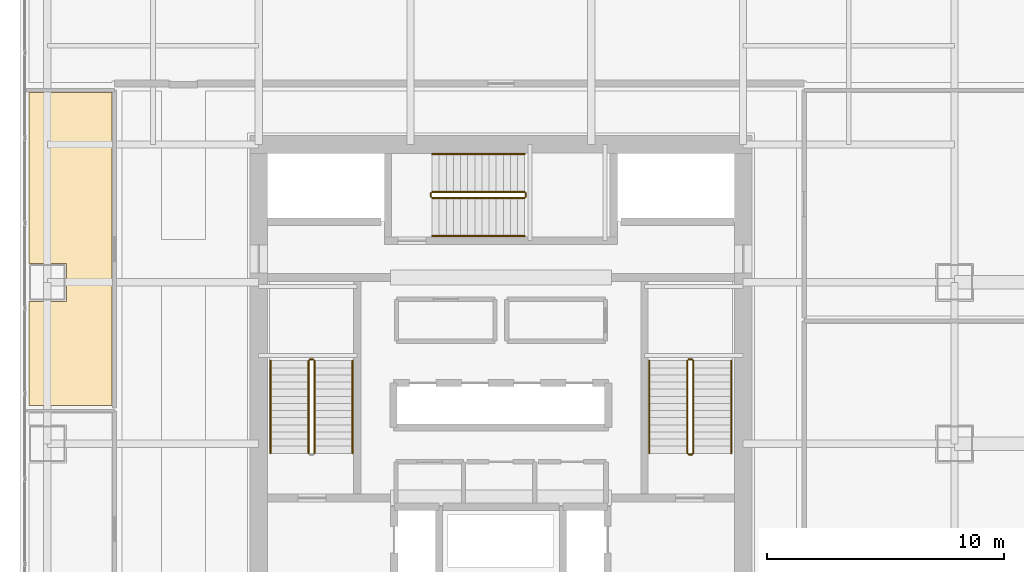
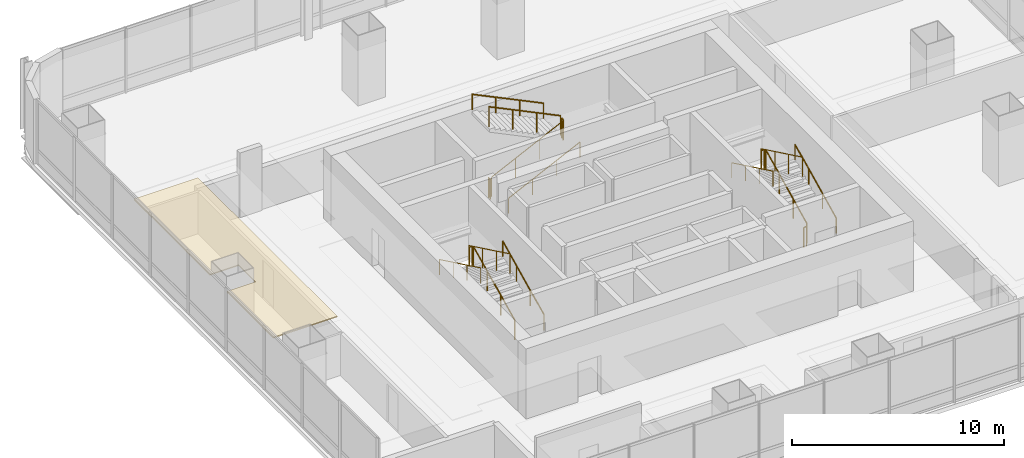
# One storey, part 32 of 33: 17 railings, 1 covering.
"""IFC4 building model written with IfcOpenShell, lengths in metres."""

from ifc_helpers import new_model, si_unit, direction, frame, origin, origin_2d, place, context, subcontext, project, spatial, polyline, circle, outline, extrude, material, layer, layer_set, type_object, element, save


model = new_model("IFC4")

# Units and contexts
model_context = context("Model", 3, precision=1e-05, world=origin(), true_north=direction((0.0, 1.0)))
body_context = subcontext(model_context, "Body", "Model", "MODEL_VIEW")
ifc_project = project(units=[si_unit("LENGTHUNIT", "METRE"), si_unit("AREAUNIT", "SQUARE_METRE"), si_unit("VOLUMEUNIT", "CUBIC_METRE"), si_unit("PLANEANGLEUNIT", "RADIAN"), si_unit("MASSUNIT", "GRAM", prefix="KILO")], contexts=[model_context])

# Site, building, storey
site_placement = place(None, origin())
site = spatial("IfcSite", under=ifc_project, at=site_placement, CompositionType="ELEMENT")
building_placement = place(site_placement, origin())
building = spatial("IfcBuilding", under=site, at=building_placement, Name="Punatoya Terracotta Tower", CompositionType="ELEMENT")
storey_placement = place(building_placement, frame((0.0, 0.0, 121.35009765625)))
storey = spatial("IfcBuildingStorey", under=building, at=storey_placement, Name="L28", CompositionType="ELEMENT", Elevation=121.35009765625)

# Covering
ifc_material_1 = material(Name="Acoustic Mineral Fibre Ceiling")
ifc_layer = layer(ifc_material_1, 0.06005859375)
ifc_layer_set = layer_set([ifc_layer], Name="Acoustic Mineral Fibre Ceiling")
covering_type = type_object("IfcCoveringType", Name="COV-CEIL-60", PredefinedType="CEILING", material=ifc_layer_set)
covering_placement = place(storey_placement, frame((0.0, 0.0, 3.199951171875)))
element("IfcCovering", 1, at=covering_placement, inside=storey, type_object=covering_type, Name="L28 Open-Plan Mindfulness Wellness Room Acoustic Ceiling", PredefinedType="CEILING", context=body_context, shape_type="SweptSolid", body=[
    extrude(outline(polyline([(-16.3701171875, -1.7900390625), (-16.3701171875, 11.389892578125), (-19.8701171875, 11.389892578125), (-19.8701171875, 4.199951171875), (-18.300048828125, 4.199951171875), (-18.300048828125, 2.60009765625), (-19.8701171875, 2.60009765625), (-19.8701171875, -1.7900390625), (-16.3701171875, -1.7900390625)])), origin(), (0.0, 0.0, 1.0), 0.06005859375),
])

# Railings
ifc_material_2 = material(Name="Steel S355", Category="steel")
railing_type_1 = type_object("IfcRailingType", Name="RLG-GRD-1150", PredefinedType="GUARDRAIL", material=ifc_material_2)
railing_1_placement = place(storey_placement, frame((-7.85009765625, -3.800048828125, 0.14453125)))
element("IfcRailing", 2, at=railing_1_placement, inside=storey, type_object=railing_type_1, Name="L28 ST-1 stair guard 1", PredefinedType="GUARDRAIL", context=body_context, shape_type="SweptSolid", body=[
    extrude(circle(Radius=0.02392578125, at=origin_2d()), frame((0.0, 0.0, 1.1259765625), z_axis=(0.0, 0.900773802044, 0.434288564841), x_axis=(-1.0, 0.0, 0.0)), (0.0, 0.0, 1.0), 4.329833984375),
    extrude(circle(Radius=0.02099609375, at=origin_2d()), origin(), (0.0, 0.0, 1.0), 1.101806640625),
    extrude(circle(Radius=0.02099609375, at=origin_2d()), frame((0.0, 1.300048828125, 0.626708984375)), (0.0, 0.0, 1.0), 1.101806640625),
    extrude(circle(Radius=0.02099609375, at=origin_2d()), frame((0.0, 2.60009765625, 1.253662109375)), (0.0, 0.0, 1.0), 1.101806640625),
    extrude(circle(Radius=0.02099609375, at=origin_2d()), frame((0.0, 3.900146484375, 1.88037109375)), (0.0, 0.0, 1.0), 1.101806640625),
])
railing_2_placement = place(storey_placement, frame((-7.89990234375, 0.14990234375, 2.02490234375)))
element("IfcRailing", 3, at=railing_2_placement, inside=storey, type_object=railing_type_1, Name="L28 ST-1 stair guard 2", PredefinedType="GUARDRAIL", context=body_context, shape_type="SweptSolid", body=[
    extrude(circle(Radius=0.02392578125, at=origin_2d()), frame((0.0, 0.0, 1.1259765625), z_axis=(-1.0, 0.0, 0.0), x_axis=(0.0, -1.0, 0.0)), (0.0, 0.0, 1.0), 0.150146484375),
    extrude(circle(Radius=0.02099609375, at=origin_2d()), origin(), (0.0, 0.0, 1.0), 1.101806640625),
    extrude(circle(Radius=0.02099609375, at=origin_2d()), frame((-0.150146484375, 0.0, 0.0)), (0.0, 0.0, 1.0), 1.101806640625),
])
railing_3_placement = place(storey_placement, frame((-8.10009765625, 0.10009765625, 2.16943359375)))
element("IfcRailing", 4, at=railing_3_placement, inside=storey, type_object=railing_type_1, Name="L28 ST-1 stair guard 3", PredefinedType="GUARDRAIL", context=body_context, shape_type="SweptSolid", body=[
    extrude(circle(Radius=0.02392578125, at=origin_2d()), frame((0.0, 0.0, 1.1259765625), z_axis=(0.0, -0.900773802044, 0.434288564841), x_axis=(1.0, 0.0, 0.0)), (0.0, 0.0, 1.0), 4.329833984375),
    extrude(circle(Radius=0.02099609375, at=origin_2d()), origin(), (0.0, 0.0, 1.0), 1.101806640625),
    extrude(circle(Radius=0.02099609375, at=origin_2d()), frame((0.0, -1.300048828125, 0.626708984375)), (0.0, 0.0, 1.0), 1.101806640625),
    extrude(circle(Radius=0.02099609375, at=origin_2d()), frame((0.0, -2.60009765625, 1.253662109375)), (0.0, 0.0, 1.0), 1.101806640625),
    extrude(circle(Radius=0.02099609375, at=origin_2d()), frame((0.0, -3.900146484375, 1.88037109375)), (0.0, 0.0, 1.0), 1.101806640625),
])
railing_4_placement = place(storey_placement, frame((8.10009765625, -3.800048828125, 0.14453125)))
element("IfcRailing", 5, at=railing_4_placement, inside=storey, type_object=railing_type_1, Name="L28 ST-2 stair guard 1", PredefinedType="GUARDRAIL", context=body_context, shape_type="SweptSolid", body=[
    extrude(circle(Radius=0.02392578125, at=origin_2d()), frame((0.0, 0.0, 1.1259765625), z_axis=(0.0, 0.900773802044, 0.434288564841), x_axis=(-1.0, 0.0, 0.0)), (0.0, 0.0, 1.0), 4.329833984375),
    extrude(circle(Radius=0.02099609375, at=origin_2d()), origin(), (0.0, 0.0, 1.0), 1.101806640625),
    extrude(circle(Radius=0.02099609375, at=origin_2d()), frame((0.0, 1.300048828125, 0.626708984375)), (0.0, 0.0, 1.0), 1.101806640625),
    extrude(circle(Radius=0.02099609375, at=origin_2d()), frame((0.0, 2.60009765625, 1.253662109375)), (0.0, 0.0, 1.0), 1.101806640625),
    extrude(circle(Radius=0.02099609375, at=origin_2d()), frame((0.0, 3.900146484375, 1.88037109375)), (0.0, 0.0, 1.0), 1.101806640625),
])
railing_5_placement = place(storey_placement, frame((8.050048828125, 0.14990234375, 2.02490234375)))
element("IfcRailing", 6, at=railing_5_placement, inside=storey, type_object=railing_type_1, Name="L28 ST-2 stair guard 2", PredefinedType="GUARDRAIL", context=body_context, shape_type="SweptSolid", body=[
    extrude(circle(Radius=0.02392578125, at=origin_2d()), frame((0.0, 0.0, 1.1259765625), z_axis=(-1.0, 0.0, 0.0), x_axis=(0.0, -1.0, 0.0)), (0.0, 0.0, 1.0), 0.150146484375),
    extrude(circle(Radius=0.02099609375, at=origin_2d()), origin(), (0.0, 0.0, 1.0), 1.101806640625),
    extrude(circle(Radius=0.02099609375, at=origin_2d()), frame((-0.150146484375, 0.0, 0.0)), (0.0, 0.0, 1.0), 1.101806640625),
])
railing_6_placement = place(storey_placement, frame((7.85009765625, 0.10009765625, 2.16943359375)))
element("IfcRailing", 7, at=railing_6_placement, inside=storey, type_object=railing_type_1, Name="L28 ST-2 stair guard 3", PredefinedType="GUARDRAIL", context=body_context, shape_type="SweptSolid", body=[
    extrude(circle(Radius=0.02392578125, at=origin_2d()), frame((0.0, 0.0, 1.1259765625), z_axis=(0.0, -0.900773802044, 0.434288564841), x_axis=(1.0, 0.0, 0.0)), (0.0, 0.0, 1.0), 4.329833984375),
    extrude(circle(Radius=0.02099609375, at=origin_2d()), origin(), (0.0, 0.0, 1.0), 1.101806640625),
    extrude(circle(Radius=0.02099609375, at=origin_2d()), frame((0.0, -1.300048828125, 0.626708984375)), (0.0, 0.0, 1.0), 1.101806640625),
    extrude(circle(Radius=0.02099609375, at=origin_2d()), frame((0.0, -2.60009765625, 1.253662109375)), (0.0, 0.0, 1.0), 1.101806640625),
    extrude(circle(Radius=0.02099609375, at=origin_2d()), frame((0.0, -3.900146484375, 1.88037109375)), (0.0, 0.0, 1.0), 1.101806640625),
])
railing_7_placement = place(storey_placement, frame((8.050048828125, -3.85009765625, 0.0)))
element("IfcRailing", 8, at=railing_7_placement, inside=storey, type_object=railing_type_1, Name="L28 ST-2 stair guard 4", PredefinedType="GUARDRAIL", context=body_context, shape_type="SweptSolid", body=[
    extrude(circle(Radius=0.02392578125, at=origin_2d()), frame((0.0, 0.0, 1.1259765625), z_axis=(-1.0, 0.0, 0.0), x_axis=(0.0, -1.0, 0.0)), (0.0, 0.0, 1.0), 0.150146484375),
    extrude(circle(Radius=0.02099609375, at=origin_2d()), origin(), (0.0, 0.0, 1.0), 1.101806640625),
    extrude(circle(Radius=0.02099609375, at=origin_2d()), frame((-0.150146484375, 0.0, 0.0)), (0.0, 0.0, 1.0), 1.101806640625),
])
railing_8_placement = place(storey_placement, frame((-2.89990234375, 6.949951171875, 0.14453125)))
element("IfcRailing", 9, at=railing_8_placement, inside=storey, type_object=railing_type_1, Name="L28 ST-3 stair guard 1", PredefinedType="GUARDRAIL", context=body_context, shape_type="SweptSolid", body=[
    extrude(circle(Radius=0.02392578125, at=origin_2d()), frame((0.0, 0.0, 1.1259765625), z_axis=(0.900763166376, 0.0, 0.434310623978), x_axis=(0.0, 1.0, 0.0)), (0.0, 0.0, 1.0), 4.32958984375),
    extrude(circle(Radius=0.02099609375, at=origin_2d()), origin(), (0.0, 0.0, 1.0), 1.101806640625),
    extrude(circle(Radius=0.02099609375, at=origin_2d()), frame((1.300048828125, 0.0, 0.626708984375)), (0.0, 0.0, 1.0), 1.101806640625),
    extrude(circle(Radius=0.02099609375, at=origin_2d()), frame((2.599853515625, 0.0, 1.253662109375)), (0.0, 0.0, 1.0), 1.101806640625),
    extrude(circle(Radius=0.02099609375, at=origin_2d()), frame((3.89990234375, 0.0, 1.88037109375)), (0.0, 0.0, 1.0), 1.101806640625),
])
railing_9_placement = place(storey_placement, frame((1.050048828125, 7.0, 2.02490234375)))
element("IfcRailing", 10, at=railing_9_placement, inside=storey, type_object=railing_type_1, Name="L28 ST-3 stair guard 2", PredefinedType="GUARDRAIL", context=body_context, shape_type="SweptSolid", body=[
    extrude(circle(Radius=0.02392578125, at=origin_2d()), frame((0.0, 0.0, 1.1259765625), z_axis=(0.0, 1.0, 0.0), x_axis=(-1.0, 0.0, 0.0)), (0.0, 0.0, 1.0), 0.14990234375),
    extrude(circle(Radius=0.02099609375, at=origin_2d()), origin(), (0.0, 0.0, 1.0), 1.101806640625),
    extrude(circle(Radius=0.02099609375, at=origin_2d()), frame((0.0, 0.14990234375, 0.0)), (0.0, 0.0, 1.0), 1.101806640625),
])
railing_10_placement = place(storey_placement, frame((1.0, 7.199951171875, 2.16943359375)))
element("IfcRailing", 11, at=railing_10_placement, inside=storey, type_object=railing_type_1, Name="L28 ST-3 stair guard 3", PredefinedType="GUARDRAIL", context=body_context, shape_type="SweptSolid", body=[
    extrude(circle(Radius=0.02392578125, at=origin_2d()), frame((0.0, 0.0, 1.1259765625), z_axis=(-0.900763166376, 0.0, 0.434310623978), x_axis=(0.0, -1.0, 0.0)), (0.0, 0.0, 1.0), 4.32958984375),
    extrude(circle(Radius=0.02099609375, at=origin_2d()), origin(), (0.0, 0.0, 1.0), 1.101806640625),
    extrude(circle(Radius=0.02099609375, at=origin_2d()), frame((-1.300048828125, 0.0, 0.626708984375)), (0.0, 0.0, 1.0), 1.101806640625),
    extrude(circle(Radius=0.02099609375, at=origin_2d()), frame((-2.599853515625, 0.0, 1.253662109375)), (0.0, 0.0, 1.0), 1.101806640625),
    extrude(circle(Radius=0.02099609375, at=origin_2d()), frame((-3.89990234375, 0.0, 1.88037109375)), (0.0, 0.0, 1.0), 1.101806640625),
])
railing_11_placement = place(storey_placement, frame((-2.949951171875, 7.0, 0.0)))
element("IfcRailing", 12, at=railing_11_placement, inside=storey, type_object=railing_type_1, Name="L28 ST-3 stair guard 4", PredefinedType="GUARDRAIL", context=body_context, shape_type="SweptSolid", body=[
    extrude(circle(Radius=0.02392578125, at=origin_2d()), frame((0.0, 0.0, 1.1259765625), z_axis=(0.0, 1.0, 0.0), x_axis=(-1.0, 0.0, 0.0)), (0.0, 0.0, 1.0), 0.14990234375),
    extrude(circle(Radius=0.02099609375, at=origin_2d()), origin(), (0.0, 0.0, 1.0), 1.101806640625),
    extrude(circle(Radius=0.02099609375, at=origin_2d()), frame((0.0, 0.14990234375, 0.0)), (0.0, 0.0, 1.0), 1.101806640625),
])
railing_type_2 = type_object("IfcRailingType", Name="RLG-HND-900", PredefinedType="HANDRAIL", material=ifc_material_2)
railing_12_placement = place(storey_placement, frame((-6.25, -3.800048828125, 0.14453125)))
element("IfcRailing", 13, at=railing_12_placement, inside=storey, type_object=railing_type_2, Name="L28 ST-1 stair handrail 1", PredefinedType="HANDRAIL", context=body_context, shape_type="SweptSolid", body=[
    extrude(circle(Radius=0.02392578125, at=origin_2d()), frame((0.0, 0.0, 0.8759765625), z_axis=(0.0, 0.900773802044, 0.434288564841), x_axis=(-1.0, 0.0, 0.0)), (0.0, 0.0, 1.0), 4.329833984375),
    extrude(circle(Radius=0.02099609375, at=origin_2d()), origin(), (0.0, 0.0, 1.0), 0.851806640625),
    extrude(circle(Radius=0.02099609375, at=origin_2d()), frame((0.0, 1.300048828125, 0.626708984375)), (0.0, 0.0, 1.0), 0.851806640625),
    extrude(circle(Radius=0.02099609375, at=origin_2d()), frame((0.0, 2.60009765625, 1.253662109375)), (0.0, 0.0, 1.0), 0.851806640625),
    extrude(circle(Radius=0.02099609375, at=origin_2d()), frame((0.0, 3.900146484375, 1.88037109375)), (0.0, 0.0, 1.0), 0.851806640625),
])
railing_13_placement = place(storey_placement, frame((-9.699951171875, 0.10009765625, 2.16943359375)))
element("IfcRailing", 14, at=railing_13_placement, inside=storey, type_object=railing_type_2, Name="L28 ST-1 stair handrail 2", PredefinedType="HANDRAIL", context=body_context, shape_type="SweptSolid", body=[
    extrude(circle(Radius=0.02392578125, at=origin_2d()), frame((0.0, 0.0, 0.8759765625), z_axis=(0.0, -0.900773802044, 0.434288564841), x_axis=(1.0, 0.0, 0.0)), (0.0, 0.0, 1.0), 4.329833984375),
    extrude(circle(Radius=0.02099609375, at=origin_2d()), origin(), (0.0, 0.0, 1.0), 0.851806640625),
    extrude(circle(Radius=0.02099609375, at=origin_2d()), frame((0.0, -1.300048828125, 0.626708984375)), (0.0, 0.0, 1.0), 0.851806640625),
    extrude(circle(Radius=0.02099609375, at=origin_2d()), frame((0.0, -2.60009765625, 1.253662109375)), (0.0, 0.0, 1.0), 0.851806640625),
    extrude(circle(Radius=0.02099609375, at=origin_2d()), frame((0.0, -3.900146484375, 1.88037109375)), (0.0, 0.0, 1.0), 0.851806640625),
])
railing_14_placement = place(storey_placement, frame((9.699951171875, -3.800048828125, 0.14453125)))
element("IfcRailing", 15, at=railing_14_placement, inside=storey, type_object=railing_type_2, Name="L28 ST-2 stair handrail 1", PredefinedType="HANDRAIL", context=body_context, shape_type="SweptSolid", body=[
    extrude(circle(Radius=0.02392578125, at=origin_2d()), frame((0.0, 0.0, 0.8759765625), z_axis=(0.0, 0.900773802044, 0.434288564841), x_axis=(-1.0, 0.0, 0.0)), (0.0, 0.0, 1.0), 4.329833984375),
    extrude(circle(Radius=0.02099609375, at=origin_2d()), origin(), (0.0, 0.0, 1.0), 0.851806640625),
    extrude(circle(Radius=0.02099609375, at=origin_2d()), frame((0.0, 1.300048828125, 0.626708984375)), (0.0, 0.0, 1.0), 0.851806640625),
    extrude(circle(Radius=0.02099609375, at=origin_2d()), frame((0.0, 2.60009765625, 1.253662109375)), (0.0, 0.0, 1.0), 0.851806640625),
    extrude(circle(Radius=0.02099609375, at=origin_2d()), frame((0.0, 3.900146484375, 1.88037109375)), (0.0, 0.0, 1.0), 0.851806640625),
])
railing_15_placement = place(storey_placement, frame((6.25, 0.10009765625, 2.16943359375)))
element("IfcRailing", 16, at=railing_15_placement, inside=storey, type_object=railing_type_2, Name="L28 ST-2 stair handrail 2", PredefinedType="HANDRAIL", context=body_context, shape_type="SweptSolid", body=[
    extrude(circle(Radius=0.02392578125, at=origin_2d()), frame((0.0, 0.0, 0.8759765625), z_axis=(0.0, -0.900773802044, 0.434288564841), x_axis=(1.0, 0.0, 0.0)), (0.0, 0.0, 1.0), 4.329833984375),
    extrude(circle(Radius=0.02099609375, at=origin_2d()), origin(), (0.0, 0.0, 1.0), 0.851806640625),
    extrude(circle(Radius=0.02099609375, at=origin_2d()), frame((0.0, -1.300048828125, 0.626708984375)), (0.0, 0.0, 1.0), 0.851806640625),
    extrude(circle(Radius=0.02099609375, at=origin_2d()), frame((0.0, -2.60009765625, 1.253662109375)), (0.0, 0.0, 1.0), 0.851806640625),
    extrude(circle(Radius=0.02099609375, at=origin_2d()), frame((0.0, -3.900146484375, 1.88037109375)), (0.0, 0.0, 1.0), 0.851806640625),
])
railing_16_placement = place(storey_placement, frame((-2.89990234375, 5.35009765625, 0.14453125)))
element("IfcRailing", 17, at=railing_16_placement, inside=storey, type_object=railing_type_2, Name="L28 ST-3 stair handrail 1", PredefinedType="HANDRAIL", context=body_context, shape_type="SweptSolid", body=[
    extrude(circle(Radius=0.02392578125, at=origin_2d()), frame((0.0, 0.0, 0.8759765625), z_axis=(0.900763166376, 0.0, 0.434310623978), x_axis=(0.0, 1.0, 0.0)), (0.0, 0.0, 1.0), 4.32958984375),
    extrude(circle(Radius=0.02099609375, at=origin_2d()), origin(), (0.0, 0.0, 1.0), 0.851806640625),
    extrude(circle(Radius=0.02099609375, at=origin_2d()), frame((1.300048828125, 0.0, 0.626708984375)), (0.0, 0.0, 1.0), 0.851806640625),
    extrude(circle(Radius=0.02099609375, at=origin_2d()), frame((2.599853515625, 0.0, 1.253662109375)), (0.0, 0.0, 1.0), 0.851806640625),
    extrude(circle(Radius=0.02099609375, at=origin_2d()), frame((3.89990234375, 0.0, 1.88037109375)), (0.0, 0.0, 1.0), 0.851806640625),
])
railing_17_placement = place(storey_placement, frame((1.0, 8.800048828125, 2.16943359375)))
element("IfcRailing", 18, at=railing_17_placement, inside=storey, type_object=railing_type_2, Name="L28 ST-3 stair handrail 2", PredefinedType="HANDRAIL", context=body_context, shape_type="SweptSolid", body=[
    extrude(circle(Radius=0.02392578125, at=origin_2d()), frame((0.0, 0.0, 0.8759765625), z_axis=(-0.900763166376, 0.0, 0.434310623978), x_axis=(0.0, -1.0, 0.0)), (0.0, 0.0, 1.0), 4.32958984375),
    extrude(circle(Radius=0.02099609375, at=origin_2d()), origin(), (0.0, 0.0, 1.0), 0.851806640625),
    extrude(circle(Radius=0.02099609375, at=origin_2d()), frame((-1.300048828125, 0.0, 0.626708984375)), (0.0, 0.0, 1.0), 0.851806640625),
    extrude(circle(Radius=0.02099609375, at=origin_2d()), frame((-2.599853515625, 0.0, 1.253662109375)), (0.0, 0.0, 1.0), 0.851806640625),
    extrude(circle(Radius=0.02099609375, at=origin_2d()), frame((-3.89990234375, 0.0, 1.88037109375)), (0.0, 0.0, 1.0), 0.851806640625),
])

save(model, "model.ifc")
